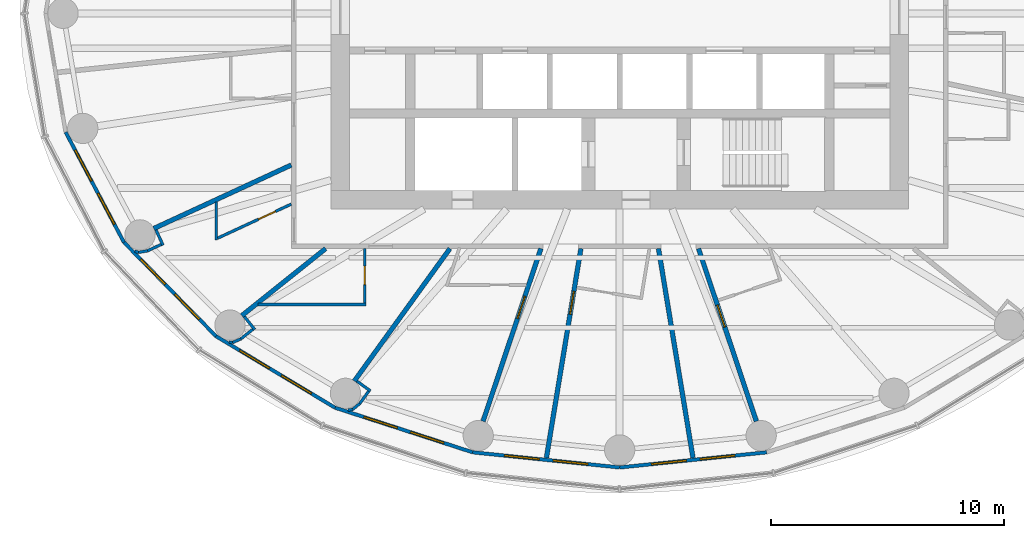
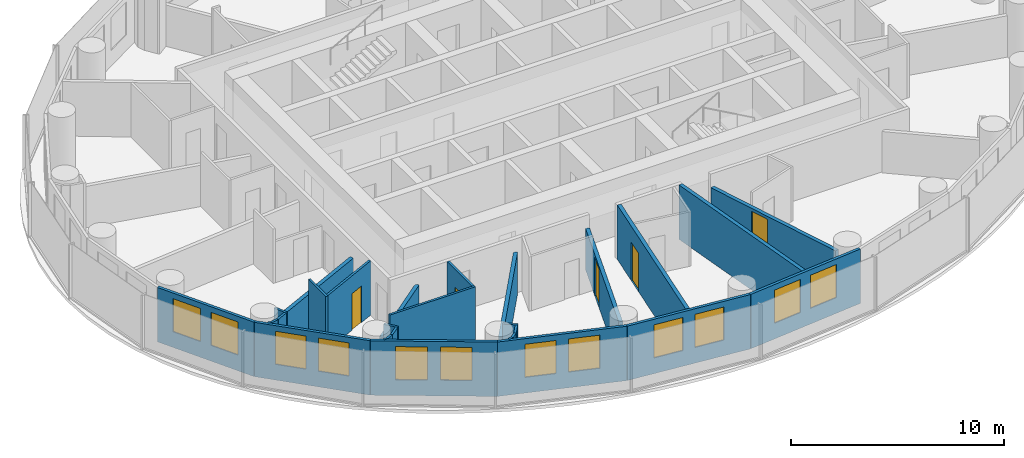
# One storey, part 6 of 14: 29 walls, 12 windows, 5 doors, 17 openings.
"""IFC4 building model written with IfcOpenShell, lengths in metres."""

import ifcopenshell
import ifcopenshell.guid

model = None  # the IFC model being written
_history = None  # IfcOwnerHistory: only IFC2X3 demands one
_inside = {}  # id of a spatial element -> (the spatial element, [elements in it])
_under = {}  # id of a project, library or spatial element -> (it, [spatial elements below it])
_declared = {}  # id of a project -> (the project, [libraries it declares])
_typed = {}  # id of a type object -> (the type object, [elements of that type])
_made_of = {}  # id of a material, layer set ... -> (it, [elements and type objects made of it])


def new_model(schema):
    """Start an empty IFC model of exactly this schema.

    Asked for "IFC4X3", IfcOpenShell would pick the latest addendum, in which some entities
    have other attributes; the version numbers below select the first issue.
    IFC2X3 requires an IfcOwnerHistory on every rooted entity: one is made here for all.
    """
    global model, _history
    if schema == "IFC4X3":
        model = ifcopenshell.file(schema_version=(4, 3, 0, 0))
    else:
        model = ifcopenshell.file(schema=schema)
    _inside.clear()
    _under.clear()
    _declared.clear()
    _typed.clear()
    _made_of.clear()
    _history = None
    if model.schema == "IFC2X3":
        org = make("IfcOrganization", Name="unknown")
        user = make(
            "IfcPersonAndOrganization",
            ThePerson=make("IfcPerson", FamilyName="unknown"),
            TheOrganization=org,
        )
        app = make(
            "IfcApplication",
            ApplicationDeveloper=org,
            Version="unknown",
            ApplicationFullName="unknown",
            ApplicationIdentifier="unknown",
        )
        _history = make(
            "IfcOwnerHistory",
            OwningUser=user,
            OwningApplication=app,
            ChangeAction="ADDED",
            CreationDate=0,
        )
    return model


def make(cls, **values):
    """One entity of the class cls with the attributes given. An attribute that is None is left unset."""
    return model.create_entity(
        cls, **{name: value for name, value in values.items() if value is not None}
    )


def rooted(cls, **values):
    """An entity with a GlobalId (a new one), such as an element, a storey or a relation."""
    return make(cls, GlobalId=ifcopenshell.guid.new(), OwnerHistory=_history, **values)


def si_unit(unit_type, name, prefix=None):
    """IfcSIUnit, for example si_unit("LENGTHUNIT", "METRE", prefix="MILLI")."""
    return make("IfcSIUnit", UnitType=unit_type, Prefix=prefix, Name=name)


def assignment(units):
    """IfcUnitAssignment: the units of a project."""
    return None if units is None else make("IfcUnitAssignment", Units=units)


def point(xyz):
    """IfcCartesianPoint."""
    return None if xyz is None else make("IfcCartesianPoint", Coordinates=xyz)


def direction(xyz):
    """IfcDirection."""
    return None if xyz is None else make("IfcDirection", DirectionRatios=xyz)


def frame(location, z_axis=None, x_axis=None):
    """IfcAxis2Placement3D, a coordinate frame: its origin and axes. An axis left out is left unset."""
    return make(
        "IfcAxis2Placement3D",
        Location=point(location),
        Axis=direction(z_axis),
        RefDirection=direction(x_axis),
    )


def frame_2d(location, x_axis=None):
    """IfcAxis2Placement2D, a coordinate frame in the plane: its origin and x axis."""
    return make(
        "IfcAxis2Placement2D", Location=point(location), RefDirection=direction(x_axis)
    )


def origin():
    """The frame at (0, 0, 0) with its axes left unset."""
    return frame((0.0, 0.0, 0.0))


def place(relative_to, where):
    """IfcLocalPlacement: puts the frame where relative to a parent placement (None: the world)."""
    return make(
        "IfcLocalPlacement", PlacementRelTo=relative_to, RelativePlacement=where
    )


def context(
    kind, dimensions, precision=None, world=None, true_north=None, identifier=None
):
    """IfcGeometricRepresentationContext, for example the 3D "Model" context."""
    return make(
        "IfcGeometricRepresentationContext",
        ContextIdentifier=identifier,
        ContextType=kind,
        CoordinateSpaceDimension=dimensions,
        Precision=precision,
        WorldCoordinateSystem=world,
        TrueNorth=true_north,
    )


def subcontext(parent, identifier, kind, view, scale=None):
    """IfcGeometricRepresentationSubContext, for example "Body" below "Model"."""
    return make(
        "IfcGeometricRepresentationSubContext",
        ContextIdentifier=identifier,
        ContextType=kind,
        ParentContext=parent,
        TargetScale=scale,
        TargetView=view,
    )


def project(units=None, contexts=None):
    """IfcProject with its units and contexts."""
    return rooted(
        "IfcProject",
        Name="project",
        RepresentationContexts=contexts,
        UnitsInContext=assignment(units),
    )


def spatial(cls, under=None, at=None, **own):
    """A site, building, storey or space (cls), placed at a placement, below another one or the project."""
    s = rooted(cls, ObjectPlacement=at, **own)
    if under is not None:
        _under.setdefault(under.id(), (under, []))[1].append(s)
    return s


def profile(cls, at=None, kind="AREA", **sizes):
    """A parametric profile (cls). Its sizes go by their IFC names, for example OverallWidth=200.0."""
    return make(cls, ProfileType=kind, Position=at, **sizes)


def rectangle(**sizes):
    """IfcRectangleProfileDef."""
    return profile("IfcRectangleProfileDef", **sizes)


def extrude(swept, where, along, depth):
    """IfcExtrudedAreaSolid: the profile swept, set in the frame where, extruded along a direction by depth."""
    return make(
        "IfcExtrudedAreaSolid",
        SweptArea=swept,
        Position=where,
        ExtrudedDirection=direction(along),
        Depth=depth,
    )


def shape(context_of_items, identifier, shape_type, items):
    """IfcShapeRepresentation: the items that make up one representation, for example the "Body"."""
    return make(
        "IfcShapeRepresentation",
        ContextOfItems=context_of_items,
        RepresentationIdentifier=identifier,
        RepresentationType=shape_type,
        Items=items,
    )


def material(Name=None, Category=None):
    """IfcMaterial."""
    return make("IfcMaterial", Name=Name, Category=Category)


def layer(
    of_material, thickness, ventilated=None, Name=None, Category=None, Priority=None
):
    """IfcMaterialLayer: one layer of a wall or slab, of a material (None: an air gap)."""
    return make(
        "IfcMaterialLayer",
        Material=of_material,
        LayerThickness=thickness,
        IsVentilated=ventilated,
        Name=Name,
        Category=Category,
        Priority=Priority,
    )


def layer_set(layers, Name=None):
    """IfcMaterialLayerSet."""
    return make("IfcMaterialLayerSet", MaterialLayers=layers, LayerSetName=Name)


def made_of(thing, what):
    """Note that an element or type object is made of a material, layer set ...; save() writes the relation."""
    if what is not None:
        _made_of.setdefault(what.id(), (what, []))[1].append(thing)
    return thing


def type_object(cls, material=None, **own):
    """A type object (cls), such as IfcWallType, which elements share."""
    return made_of(rooted(cls, **own), material)


def element(
    cls,
    number,
    at=None,
    inside=None,
    cuts=None,
    type_object=None,
    material=None,
    context=None,
    identifier="Body",
    shape_type=None,
    held_by="IfcProductDefinitionShape",
    body=None,
    shapes=None,
    **own,
):
    """One element of the class cls, such as IfcWall. Its Tag is "e" and its number.

    at: its placement. inside: the storey or other place that contains it. cuts: it is an
    opening in that element (IfcRelVoidsElement). A single representation is given by context,
    identifier, shape_type and body (its items); several are given by shapes. held_by: the class
    of the entity that holds the representations. save() writes the other relations.
    """
    e = rooted(cls, Tag="e%d" % number, ObjectPlacement=at, **own)
    if body is not None:
        shapes = [shape(context, identifier, shape_type, body)]
    if shapes is not None:
        e.Representation = make(held_by, Representations=shapes)
    if inside is not None:
        _inside.setdefault(inside.id(), (inside, []))[1].append(e)
    if cuts is not None:
        rooted(
            "IfcRelVoidsElement", RelatingBuildingElement=cuts, RelatedOpeningElement=e
        )
    if type_object is not None:
        _typed.setdefault(type_object.id(), (type_object, []))[1].append(e)
    return made_of(e, material)


def fill(opening, filler):
    """IfcRelFillsElement: the door or window that sits in an opening."""
    return rooted(
        "IfcRelFillsElement",
        RelatingOpeningElement=opening,
        RelatedBuildingElement=filler,
    )


def aggregate(whole, parts):
    """IfcRelAggregates: a whole, such as a stair, and the parts it consists of."""
    return rooted("IfcRelAggregates", RelatingObject=whole, RelatedObjects=parts)


def save(model, path):
    """Write the relations noted so far, then the file.

    IfcRelAggregates (storeys below a building ...), IfcRelContainedInSpatialStructure (elements
    in a storey), IfcRelDefinesByType, IfcRelAssociatesMaterial and IfcRelDeclares: one each for
    every whole, place, type object, material and project.
    """
    for whole, parts in _under.values():
        aggregate(whole, parts)
    for where, things in _inside.values():
        rooted(
            "IfcRelContainedInSpatialStructure",
            RelatedElements=things,
            RelatingStructure=where,
        )
    for kind, things in _typed.values():
        rooted("IfcRelDefinesByType", RelatedObjects=things, RelatingType=kind)
    for what, things in _made_of.values():
        rooted("IfcRelAssociatesMaterial", RelatedObjects=things, RelatingMaterial=what)
    for by, libraries in _declared.values():
        rooted("IfcRelDeclares", RelatingContext=by, RelatedDefinitions=libraries)
    model.write(path)


model = new_model("IFC4")

# Units and contexts
model_context = context("Model", 3, precision=1e-05, world=origin(), true_north=direction((0.0, 1.0)))
body_context = subcontext(model_context, "Body", "Model", "MODEL_VIEW")
ifc_project = project(units=[si_unit("LENGTHUNIT", "METRE"), si_unit("AREAUNIT", "SQUARE_METRE"), si_unit("VOLUMEUNIT", "CUBIC_METRE"), si_unit("PLANEANGLEUNIT", "RADIAN"), si_unit("MASSUNIT", "GRAM", prefix="KILO")], contexts=[model_context])

# Site, building, storey
site_placement = place(None, origin())
site = spatial("IfcSite", under=ifc_project, at=site_placement, CompositionType="ELEMENT")
building_placement = place(site_placement, origin())
building = spatial("IfcBuilding", under=site, at=building_placement, Name="Hankou Lantern Tower", CompositionType="ELEMENT")
storey_placement = place(building_placement, frame((0.0, 0.0, 115.5)))
storey = spatial("IfcBuildingStorey", under=building, at=storey_placement, Name="L29", CompositionType="ELEMENT", Elevation=115.5)

# Wall, openings, windows
ifc_material_1 = material(Name="Aluminium spandrel panel on steel studs", Category="steel")
ifc_layer_1 = layer(ifc_material_1, 0.14990234375)
ifc_layer_set_1 = layer_set([ifc_layer_1], Name="Aluminium spandrel panel on steel studs")
wall_type_1 = type_object("IfcWallType", Name="EW1 INNER SKIN WALL 150", PredefinedType="ELEMENTEDWALL", material=ifc_layer_set_1)
wall_1_placement = place(storey_placement, frame((-23.7919921875, -5.10009765625, 0.0), z_axis=(0.0, 0.0, 1.0), x_axis=(0.467814388454, -0.883826735257, 0.0)))
wall_1 = element("IfcWall", 1, at=wall_1_placement, inside=storey, type_object=wall_type_1, Name="Inner skin R14-R15 L29", PredefinedType="ELEMENTEDWALL", context=body_context, shape_type="SweptSolid", body=[
    extrude(rectangle(XDim=5.35400390625, YDim=0.14990234375, at=frame_2d((2.677001953125, 0.0))), origin(), (0.0, 0.0, 1.0), 3.1201171875),
])
opening_1_placement = place(wall_1_placement, frame((0.876953125, 0.0, 0.89990234375)))
opening_1 = element("IfcOpeningElement", 2, at=opening_1_placement, cuts=wall_1, Name="Opening W2", PredefinedType="OPENING", context=body_context, shape_type="SweptSolid", body=[
    extrude(rectangle(XDim=1.5, YDim=1.89990234375, at=frame_2d((0.75, 0.949951171875))), frame((0.0, 0.0849609375, 0.0), z_axis=(0.0, -1.0, 0.0), x_axis=(1.0, 0.0, 0.0)), (0.0, 0.0, 1.0), 0.169921875),
])
opening_2_placement = place(wall_1_placement, frame((2.97705078125, 0.0, 0.89990234375)))
opening_2 = element("IfcOpeningElement", 3, at=opening_2_placement, cuts=wall_1, Name="Opening W2", PredefinedType="OPENING", context=body_context, shape_type="SweptSolid", body=[
    extrude(rectangle(XDim=1.5, YDim=1.89990234375, at=frame_2d((0.75, 0.949951171875))), frame((0.0, 0.0849609375, 0.0), z_axis=(0.0, -1.0, 0.0), x_axis=(1.0, 0.0, 0.0)), (0.0, 0.0, 1.0), 0.169921875),
])
ifc_material_2 = material(Name="Aluminium framed double glazed window", Category="aluminium")
window_type = type_object("IfcWindowType", Name="W2 GUEST ROOM WINDOW 1500X1900", PartitioningType="DOUBLE_PANEL_VERTICAL", PredefinedType="WINDOW", material=ifc_material_2)
window_1_placement = place(opening_1_placement, origin())
window_1 = element("IfcWindow", 4, at=window_1_placement, inside=storey, type_object=window_type, Name="Window R14.1 L29", OverallHeight=1.89990234375, OverallWidth=1.5, PartitioningType="SINGLE_PANEL", PredefinedType="WINDOW", context=body_context, shape_type="SweptSolid", body=[
    extrude(rectangle(XDim=1.5, YDim=1.89990234375, at=frame_2d((0.75, 0.949951171875))), frame((0.0, 0.030029296875, 0.0), z_axis=(0.0, -1.0, 0.0), x_axis=(1.0, 0.0, 0.0)), (0.0, 0.0, 1.0), 0.06005859375),
])
fill(opening_1, window_1)
window_2_placement = place(opening_2_placement, origin())
window_2 = element("IfcWindow", 5, at=window_2_placement, inside=storey, type_object=window_type, Name="Window R14.2 L29", OverallHeight=1.89990234375, OverallWidth=1.5, PartitioningType="SINGLE_PANEL", PredefinedType="WINDOW", context=body_context, shape_type="SweptSolid", body=[
    extrude(rectangle(XDim=1.5, YDim=1.89990234375, at=frame_2d((0.75, 0.949951171875))), frame((0.0, 0.030029296875, 0.0), z_axis=(0.0, -1.0, 0.0), x_axis=(1.0, 0.0, 0.0)), (0.0, 0.0, 1.0), 0.06005859375),
])
fill(opening_2, window_2)

wall_2_placement = place(storey_placement, frame((-21.287353515625, -9.83203125, 0.0), z_axis=(0.0, 0.0, 1.0), x_axis=(0.700136650834, -0.714008872605, 0.0)))
wall_2 = element("IfcWall", 6, at=wall_2_placement, inside=storey, type_object=wall_type_1, Name="Inner skin R15-R16 L29", PredefinedType="ELEMENTEDWALL", context=body_context, shape_type="SweptSolid", body=[
    extrude(rectangle(XDim=5.6494140625, YDim=0.14990234375, at=frame_2d((2.82470703125, 0.0))), origin(), (0.0, 0.0, 1.0), 3.1201171875),
])
opening_3_placement = place(wall_2_placement, frame((1.024658203125, 0.0, 0.89990234375)))
opening_3 = element("IfcOpeningElement", 7, at=opening_3_placement, cuts=wall_2, Name="Opening W2", PredefinedType="OPENING", context=body_context, shape_type="SweptSolid", body=[
    extrude(rectangle(XDim=1.5, YDim=1.89990234375, at=frame_2d((0.75, 0.949951171875))), frame((0.0, 0.0849609375, 0.0), z_axis=(0.0, -1.0, 0.0), x_axis=(1.0, 0.0, 0.0)), (0.0, 0.0, 1.0), 0.169921875),
])
opening_4_placement = place(wall_2_placement, frame((3.12451171875, 0.0, 0.89990234375)))
opening_4 = element("IfcOpeningElement", 8, at=opening_4_placement, cuts=wall_2, Name="Opening W2", PredefinedType="OPENING", context=body_context, shape_type="SweptSolid", body=[
    extrude(rectangle(XDim=1.5, YDim=1.89990234375, at=frame_2d((0.75, 0.949951171875))), frame((0.0, 0.0849609375, 0.0), z_axis=(0.0, -1.0, 0.0), x_axis=(1.0, 0.0, 0.0)), (0.0, 0.0, 1.0), 0.169921875),
])
window_3_placement = place(opening_3_placement, origin())
window_3 = element("IfcWindow", 9, at=window_3_placement, inside=storey, type_object=window_type, Name="Window R15.1 L29", OverallHeight=1.89990234375, OverallWidth=1.5, PartitioningType="SINGLE_PANEL", PredefinedType="WINDOW", context=body_context, shape_type="SweptSolid", body=[
    extrude(rectangle(XDim=1.5, YDim=1.89990234375, at=frame_2d((0.75, 0.949951171875))), frame((0.0, 0.030029296875, 0.0), z_axis=(0.0, -1.0, 0.0), x_axis=(1.0, 0.0, 0.0)), (0.0, 0.0, 1.0), 0.06005859375),
])
fill(opening_3, window_3)
window_4_placement = place(opening_4_placement, origin())
window_4 = element("IfcWindow", 10, at=window_4_placement, inside=storey, type_object=window_type, Name="Window R15.2 L29", OverallHeight=1.89990234375, OverallWidth=1.5, PartitioningType="SINGLE_PANEL", PredefinedType="WINDOW", context=body_context, shape_type="SweptSolid", body=[
    extrude(rectangle(XDim=1.5, YDim=1.89990234375, at=frame_2d((0.75, 0.949951171875))), frame((0.0, 0.030029296875, 0.0), z_axis=(0.0, -1.0, 0.0), x_axis=(1.0, 0.0, 0.0)), (0.0, 0.0, 1.0), 0.06005859375),
])
fill(opening_4, window_4)

wall_3_placement = place(storey_placement, frame((-17.33203125, -13.86572265625, 0.0), z_axis=(0.0, 0.0, 1.0), x_axis=(0.857308573723, -0.514802884044, 0.0)))
wall_3 = element("IfcWall", 11, at=wall_3_placement, inside=storey, type_object=wall_type_1, Name="Inner skin R16-R17 L29", PredefinedType="ELEMENTEDWALL", context=body_context, shape_type="SweptSolid", body=[
    extrude(rectangle(XDim=5.961181640625, YDim=0.14990234375, at=frame_2d((2.98046875, 0.0))), origin(), (0.0, 0.0, 1.0), 3.1201171875),
])
opening_5_placement = place(wall_3_placement, frame((1.1806640625, 0.0, 0.89990234375)))
opening_5 = element("IfcOpeningElement", 12, at=opening_5_placement, cuts=wall_3, Name="Opening W2", PredefinedType="OPENING", context=body_context, shape_type="SweptSolid", body=[
    extrude(rectangle(XDim=1.5, YDim=1.89990234375, at=frame_2d((0.75, 0.949951171875))), frame((0.0, 0.0849609375, 0.0), z_axis=(0.0, -1.0, 0.0), x_axis=(1.0, 0.0, 0.0)), (0.0, 0.0, 1.0), 0.169921875),
])
opening_6_placement = place(wall_3_placement, frame((3.280517578125, 0.0, 0.89990234375)))
opening_6 = element("IfcOpeningElement", 13, at=opening_6_placement, cuts=wall_3, Name="Opening W2", PredefinedType="OPENING", context=body_context, shape_type="SweptSolid", body=[
    extrude(rectangle(XDim=1.5, YDim=1.89990234375, at=frame_2d((0.75, 0.949951171875))), frame((0.0, 0.0849609375, 0.0), z_axis=(0.0, -1.0, 0.0), x_axis=(1.0, 0.0, 0.0)), (0.0, 0.0, 1.0), 0.169921875),
])
window_5_placement = place(opening_5_placement, origin())
window_5 = element("IfcWindow", 14, at=window_5_placement, inside=storey, type_object=window_type, Name="Window R16.1 L29", OverallHeight=1.89990234375, OverallWidth=1.5, PartitioningType="SINGLE_PANEL", PredefinedType="WINDOW", context=body_context, shape_type="SweptSolid", body=[
    extrude(rectangle(XDim=1.5, YDim=1.89990234375, at=frame_2d((0.75, 0.949951171875))), frame((0.0, 0.030029296875, 0.0), z_axis=(0.0, -1.0, 0.0), x_axis=(1.0, 0.0, 0.0)), (0.0, 0.0, 1.0), 0.06005859375),
])
fill(opening_5, window_5)
window_6_placement = place(opening_6_placement, origin())
window_6 = element("IfcWindow", 15, at=window_6_placement, inside=storey, type_object=window_type, Name="Window R16.2 L29", OverallHeight=1.89990234375, OverallWidth=1.5, PartitioningType="SINGLE_PANEL", PredefinedType="WINDOW", context=body_context, shape_type="SweptSolid", body=[
    extrude(rectangle(XDim=1.5, YDim=1.89990234375, at=frame_2d((0.75, 0.949951171875))), frame((0.0, 0.030029296875, 0.0), z_axis=(0.0, -1.0, 0.0), x_axis=(1.0, 0.0, 0.0)), (0.0, 0.0, 1.0), 0.06005859375),
])
fill(opening_6, window_6)

wall_4_placement = place(storey_placement, frame((-12.221435546875, -16.9345703125, 0.0), z_axis=(0.0, 0.0, 1.0), x_axis=(0.951272691506, -0.308350881944, 0.0)))
wall_4 = element("IfcWall", 16, at=wall_4_placement, inside=storey, type_object=wall_type_1, Name="Inner skin R17-R18 L29", PredefinedType="ELEMENTEDWALL", context=body_context, shape_type="SweptSolid", body=[
    extrude(rectangle(XDim=6.210693359375, YDim=0.14990234375, at=frame_2d((3.10546875, 0.0))), origin(), (0.0, 0.0, 1.0), 3.1201171875),
])
opening_7_placement = place(wall_4_placement, frame((1.305419921875, 0.0, 0.89990234375)))
opening_7 = element("IfcOpeningElement", 17, at=opening_7_placement, cuts=wall_4, Name="Opening W2", PredefinedType="OPENING", context=body_context, shape_type="SweptSolid", body=[
    extrude(rectangle(XDim=1.5, YDim=1.89990234375, at=frame_2d((0.75, 0.949951171875))), frame((0.0, 0.0849609375, 0.0), z_axis=(0.0, -1.0, 0.0), x_axis=(1.0, 0.0, 0.0)), (0.0, 0.0, 1.0), 0.169921875),
])
opening_8_placement = place(wall_4_placement, frame((3.4052734375, 0.0, 0.89990234375)))
opening_8 = element("IfcOpeningElement", 18, at=opening_8_placement, cuts=wall_4, Name="Opening W2", PredefinedType="OPENING", context=body_context, shape_type="SweptSolid", body=[
    extrude(rectangle(XDim=1.5, YDim=1.89990234375, at=frame_2d((0.75, 0.949951171875))), frame((0.0, 0.0849609375, 0.0), z_axis=(0.0, -1.0, 0.0), x_axis=(1.0, 0.0, 0.0)), (0.0, 0.0, 1.0), 0.169921875),
])
window_7_placement = place(opening_7_placement, origin())
window_7 = element("IfcWindow", 19, at=window_7_placement, inside=storey, type_object=window_type, Name="Window R17.1 L29", OverallHeight=1.89990234375, OverallWidth=1.5, PartitioningType="SINGLE_PANEL", PredefinedType="WINDOW", context=body_context, shape_type="SweptSolid", body=[
    extrude(rectangle(XDim=1.5, YDim=1.89990234375, at=frame_2d((0.75, 0.949951171875))), frame((0.0, 0.030029296875, 0.0), z_axis=(0.0, -1.0, 0.0), x_axis=(1.0, 0.0, 0.0)), (0.0, 0.0, 1.0), 0.06005859375),
])
fill(opening_7, window_7)
window_8_placement = place(opening_8_placement, origin())
window_8 = element("IfcWindow", 20, at=window_8_placement, inside=storey, type_object=window_type, Name="Window R17.2 L29", OverallHeight=1.89990234375, OverallWidth=1.5, PartitioningType="SINGLE_PANEL", PredefinedType="WINDOW", context=body_context, shape_type="SweptSolid", body=[
    extrude(rectangle(XDim=1.5, YDim=1.89990234375, at=frame_2d((0.75, 0.949951171875))), frame((0.0, 0.030029296875, 0.0), z_axis=(0.0, -1.0, 0.0), x_axis=(1.0, 0.0, 0.0)), (0.0, 0.0, 1.0), 0.06005859375),
])
fill(opening_8, window_8)

wall_5_placement = place(storey_placement, frame((-6.3134765625, -18.849609375, 0.0), z_axis=(0.0, 0.0, 1.0), x_axis=(0.994735690163, -0.102473931887, 0.0)))
wall_5 = element("IfcWall", 21, at=wall_5_placement, inside=storey, type_object=wall_type_1, Name="Inner skin R18-R19 L29", PredefinedType="ELEMENTEDWALL", context=body_context, shape_type="SweptSolid", body=[
    extrude(rectangle(XDim=6.346923828125, YDim=0.14990234375, at=frame_2d((3.17333984375, 0.0))), origin(), (0.0, 0.0, 1.0), 3.1201171875),
])
opening_9_placement = place(wall_5_placement, frame((1.373291015625, 0.0, 0.89990234375)))
opening_9 = element("IfcOpeningElement", 22, at=opening_9_placement, cuts=wall_5, Name="Opening W2", PredefinedType="OPENING", context=body_context, shape_type="SweptSolid", body=[
    extrude(rectangle(XDim=1.5, YDim=1.89990234375, at=frame_2d((0.75, 0.949951171875))), frame((0.0, 0.0849609375, 0.0), z_axis=(0.0, -1.0, 0.0), x_axis=(1.0, 0.0, 0.0)), (0.0, 0.0, 1.0), 0.169921875),
])
opening_10_placement = place(wall_5_placement, frame((3.473388671875, 0.0, 0.89990234375)))
opening_10 = element("IfcOpeningElement", 23, at=opening_10_placement, cuts=wall_5, Name="Opening W2", PredefinedType="OPENING", context=body_context, shape_type="SweptSolid", body=[
    extrude(rectangle(XDim=1.5, YDim=1.89990234375, at=frame_2d((0.75, 0.949951171875))), frame((0.0, 0.0849609375, 0.0), z_axis=(0.0, -1.0, 0.0), x_axis=(1.0, 0.0, 0.0)), (0.0, 0.0, 1.0), 0.169921875),
])
window_9_placement = place(opening_9_placement, origin())
window_9 = element("IfcWindow", 24, at=window_9_placement, inside=storey, type_object=window_type, Name="Window R18.1 L29", OverallHeight=1.89990234375, OverallWidth=1.5, PartitioningType="SINGLE_PANEL", PredefinedType="WINDOW", context=body_context, shape_type="SweptSolid", body=[
    extrude(rectangle(XDim=1.5, YDim=1.89990234375, at=frame_2d((0.75, 0.949951171875))), frame((0.0, 0.030029296875, 0.0), z_axis=(0.0, -1.0, 0.0), x_axis=(1.0, 0.0, 0.0)), (0.0, 0.0, 1.0), 0.06005859375),
])
fill(opening_9, window_9)
window_10_placement = place(opening_10_placement, origin())
window_10 = element("IfcWindow", 25, at=window_10_placement, inside=storey, type_object=window_type, Name="Window R18.2 L29", OverallHeight=1.89990234375, OverallWidth=1.5, PartitioningType="SINGLE_PANEL", PredefinedType="WINDOW", context=body_context, shape_type="SweptSolid", body=[
    extrude(rectangle(XDim=1.5, YDim=1.89990234375, at=frame_2d((0.75, 0.949951171875))), frame((0.0, 0.030029296875, 0.0), z_axis=(0.0, -1.0, 0.0), x_axis=(1.0, 0.0, 0.0)), (0.0, 0.0, 1.0), 0.06005859375),
])
fill(opening_10, window_10)

wall_6_placement = place(storey_placement, frame((0.0, -19.5, 0.0), z_axis=(0.0, 0.0, 1.0), x_axis=(0.994735690163, 0.102473931887, 0.0)))
wall_6 = element("IfcWall", 26, at=wall_6_placement, inside=storey, type_object=wall_type_1, Name="Inner skin R19-R20 L29", PredefinedType="ELEMENTEDWALL", context=body_context, shape_type="SweptSolid", body=[
    extrude(rectangle(XDim=6.346923828125, YDim=0.14990234375, at=frame_2d((3.17333984375, 0.0))), origin(), (0.0, 0.0, 1.0), 3.1201171875),
])
opening_11_placement = place(wall_6_placement, frame((1.373291015625, 0.0, 0.89990234375)))
opening_11 = element("IfcOpeningElement", 27, at=opening_11_placement, cuts=wall_6, Name="Opening W2", PredefinedType="OPENING", context=body_context, shape_type="SweptSolid", body=[
    extrude(rectangle(XDim=1.5, YDim=1.89990234375, at=frame_2d((0.75, 0.949951171875))), frame((0.0, 0.0849609375, 0.0), z_axis=(0.0, -1.0, 0.0), x_axis=(1.0, 0.0, 0.0)), (0.0, 0.0, 1.0), 0.169921875),
])
opening_12_placement = place(wall_6_placement, frame((3.473388671875, 0.0, 0.89990234375)))
opening_12 = element("IfcOpeningElement", 28, at=opening_12_placement, cuts=wall_6, Name="Opening W2", PredefinedType="OPENING", context=body_context, shape_type="SweptSolid", body=[
    extrude(rectangle(XDim=1.5, YDim=1.89990234375, at=frame_2d((0.75, 0.949951171875))), frame((0.0, 0.0849609375, 0.0), z_axis=(0.0, -1.0, 0.0), x_axis=(1.0, 0.0, 0.0)), (0.0, 0.0, 1.0), 0.169921875),
])
window_11_placement = place(opening_11_placement, origin())
window_11 = element("IfcWindow", 29, at=window_11_placement, inside=storey, type_object=window_type, Name="Window R19.1 L29", OverallHeight=1.89990234375, OverallWidth=1.5, PartitioningType="SINGLE_PANEL", PredefinedType="WINDOW", context=body_context, shape_type="SweptSolid", body=[
    extrude(rectangle(XDim=1.5, YDim=1.89990234375, at=frame_2d((0.75, 0.949951171875))), frame((0.0, 0.030029296875, 0.0), z_axis=(0.0, -1.0, 0.0), x_axis=(1.0, 0.0, 0.0)), (0.0, 0.0, 1.0), 0.06005859375),
])
fill(opening_11, window_11)
window_12_placement = place(opening_12_placement, origin())
window_12 = element("IfcWindow", 30, at=window_12_placement, inside=storey, type_object=window_type, Name="Window R19.2 L29", OverallHeight=1.89990234375, OverallWidth=1.5, PartitioningType="SINGLE_PANEL", PredefinedType="WINDOW", context=body_context, shape_type="SweptSolid", body=[
    extrude(rectangle(XDim=1.5, YDim=1.89990234375, at=frame_2d((0.75, 0.949951171875))), frame((0.0, 0.030029296875, 0.0), z_axis=(0.0, -1.0, 0.0), x_axis=(1.0, 0.0, 0.0)), (0.0, 0.0, 1.0), 0.06005859375),
])
fill(opening_12, window_12)

# Walls
ifc_material_3 = material(Name="Masonry lightweight concrete block", Category="masonry")
ifc_layer_2 = layer(ifc_material_3, 0.199951171875)
ifc_layer_set_2 = layer_set([ifc_layer_2], Name="Masonry lightweight concrete block")
wall_type_2 = type_object("IfcWallType", Name="IW1 GUEST ROOM PARTY WALL 200", PredefinedType="PARTITIONING", material=ifc_layer_set_2)
wall_7_placement = place(storey_placement, frame((-14.10009765625, -6.512451171875, 0.0), z_axis=(0.0, 0.0, 1.0), x_axis=(-0.907833019998, -0.419331858797, 0.0)))
element("IfcWall", 31, at=wall_7_placement, inside=storey, type_object=wall_type_2, Name="Party wall R15", PredefinedType="PARTITIONING", context=body_context, shape_type="SweptSolid", body=[
    extrude(rectangle(XDim=6.505126953125, YDim=0.199951171875, at=frame_2d((3.25244140625, 0.0))), origin(), (0.0, 0.0, 1.0), 2.27001953125),
])
wall_8_placement = place(storey_placement, frame((-12.625, -10.10009765625, 0.0), z_axis=(0.0, 0.0, 1.0), x_axis=(-0.780863644897, -0.624701503182, 0.0)))
element("IfcWall", 32, at=wall_8_placement, inside=storey, type_object=wall_type_2, Name="Party wall R16", PredefinedType="PARTITIONING", context=body_context, shape_type="SweptSolid", body=[
    extrude(rectangle(XDim=4.612060546875, YDim=0.199951171875, at=frame_2d((2.30615234375, 0.0))), origin(), (0.0, 0.0, 1.0), 2.3701171875),
])
wall_9_placement = place(storey_placement, frame((-7.2890625, -10.10009765625, 0.0), z_axis=(0.0, 0.0, 1.0), x_axis=(-0.585217367024, -0.81087645997, 0.0)))
element("IfcWall", 33, at=wall_9_placement, inside=storey, type_object=wall_type_2, Name="Party wall R17", PredefinedType="PARTITIONING", context=body_context, shape_type="SweptSolid", body=[
    extrude(rectangle(XDim=7.01611328125, YDim=0.199951171875, at=frame_2d((3.508056640625, 0.0))), origin(), (0.0, 0.0, 1.0), 2.3701171875),
])

# Wall, opening, door
ifc_material_4 = material(Name="Masonry lightweight concrete block", Category="masonry")
ifc_layer_3 = layer(ifc_material_4, 0.199951171875)
ifc_layer_set_3 = layer_set([ifc_layer_3], Name="Masonry lightweight concrete block")
wall_type_3 = type_object("IfcWallType", Name="IW2 CORRIDOR WALL 200", PredefinedType="PARTITIONING", material=ifc_layer_set_3)
wall_10_placement = place(storey_placement, frame((-3.3828125, -10.10009765625, 0.0), z_axis=(0.0, 0.0, 1.0), x_axis=(-0.317603705574, -0.948223542318, 0.0)))
wall_10 = element("IfcWall", 34, at=wall_10_placement, inside=storey, type_object=wall_type_3, Name="Corridor spur wall R18", PredefinedType="PARTITIONING", context=body_context, shape_type="SweptSolid", body=[
    extrude(rectangle(XDim=7.822998046875, YDim=0.199951171875, at=frame_2d((3.91162109375, 0.0))), origin(), (0.0, 0.0, 1.0), 2.3701171875),
])
opening_13_placement = place(wall_10_placement, frame((2.168212890625, 0.0, 0.0)))
opening_13 = element("IfcOpeningElement", 35, at=opening_13_placement, cuts=wall_10, Name="Opening D1", PredefinedType="OPENING", context=body_context, shape_type="SweptSolid", body=[
    extrude(rectangle(XDim=1.0, YDim=2.199951171875, at=frame_2d((0.5, 1.10009765625))), frame((0.0, 0.10986328125, 0.0), z_axis=(0.0, -1.0, 0.0), x_axis=(1.0, 0.0, 0.0)), (0.0, 0.0, 1.0), 0.219970703125),
])
ifc_material_5 = material(Name="Steel door leaf", Category="steel")
door_type_1 = type_object("IfcDoorType", Name="D1 GUEST ROOM DOOR 1000X2200", OperationType="SINGLE_SWING_LEFT", PredefinedType="DOOR", material=ifc_material_5)
door_1_placement = place(opening_13_placement, origin())
door_1 = element("IfcDoor", 36, at=door_1_placement, inside=storey, type_object=door_type_1, Name="Guest room door 2911", OperationType="SINGLE_SWING_LEFT", OverallHeight=2.199951171875, OverallWidth=1.0, PredefinedType="DOOR", context=body_context, shape_type="SweptSolid", body=[
    extrude(rectangle(XDim=1.0, YDim=2.199951171875, at=frame_2d((0.5, 1.10009765625))), frame((0.0, 0.02490234375, 0.0), z_axis=(0.0, -1.0, 0.0), x_axis=(1.0, 0.0, 0.0)), (0.0, 0.0, 1.0), 0.050048828125),
])
fill(opening_13, door_1)

wall_11_placement = place(storey_placement, frame((-1.665283203125, -10.10009765625, 0.0), z_axis=(0.0, 0.0, 1.0), x_axis=(-0.162660519103, -0.986682094459, 0.0)))
wall_11 = element("IfcWall", 37, at=wall_11_placement, inside=storey, type_object=wall_type_3, Name="Corridor spur wall R18-R19", PredefinedType="PARTITIONING", context=body_context, shape_type="SweptSolid", body=[
    extrude(rectangle(XDim=9.110595703125, YDim=0.199951171875, at=frame_2d((4.55517578125, 0.0))), origin(), (0.0, 0.0, 1.0), 3.1201171875),
])
opening_14_placement = place(wall_11_placement, frame((1.860107421875, 0.0, 0.0)))
opening_14 = element("IfcOpeningElement", 38, at=opening_14_placement, cuts=wall_11, Name="Opening D1", PredefinedType="OPENING", context=body_context, shape_type="SweptSolid", body=[
    extrude(rectangle(XDim=1.0, YDim=2.199951171875, at=frame_2d((0.5, 1.10009765625))), frame((0.0, 0.10986328125, 0.0), z_axis=(0.0, -1.0, 0.0), x_axis=(1.0, 0.0, 0.0)), (0.0, 0.0, 1.0), 0.219970703125),
])
door_2_placement = place(opening_14_placement, origin())
door_2 = element("IfcDoor", 39, at=door_2_placement, inside=storey, type_object=door_type_1, Name="Guest room door 2913", OperationType="SINGLE_SWING_LEFT", OverallHeight=2.199951171875, OverallWidth=1.0, PredefinedType="DOOR", context=body_context, shape_type="SweptSolid", body=[
    extrude(rectangle(XDim=1.0, YDim=2.199951171875, at=frame_2d((0.5, 1.10009765625))), frame((0.0, 0.02490234375, 0.0), z_axis=(0.0, -1.0, 0.0), x_axis=(1.0, 0.0, 0.0)), (0.0, 0.0, 1.0), 0.050048828125),
])
fill(opening_14, door_2)

# Wall
wall_12_placement = place(storey_placement, frame((1.665283203125, -10.10009765625, 0.0), z_axis=(0.0, 0.0, 1.0), x_axis=(0.162660519103, -0.986682094459, 0.0)))
element("IfcWall", 40, at=wall_12_placement, inside=storey, type_object=wall_type_3, Name="Corridor spur wall R19-R20", PredefinedType="PARTITIONING", context=body_context, shape_type="SweptSolid", body=[
    extrude(rectangle(XDim=9.110595703125, YDim=0.199951171875, at=frame_2d((4.55517578125, 0.0))), origin(), (0.0, 0.0, 1.0), 3.1201171875),
])

# Wall, opening, door
wall_13_placement = place(storey_placement, frame((3.3828125, -10.10009765625, 0.0), z_axis=(0.0, 0.0, 1.0), x_axis=(0.317603705574, -0.948223542318, 0.0)))
wall_13 = element("IfcWall", 41, at=wall_13_placement, inside=storey, type_object=wall_type_3, Name="Corridor spur wall R20", PredefinedType="PARTITIONING", context=body_context, shape_type="SweptSolid", body=[
    extrude(rectangle(XDim=7.822998046875, YDim=0.199951171875, at=frame_2d((3.91162109375, 0.0))), origin(), (0.0, 0.0, 1.0), 2.3701171875),
])
opening_15_placement = place(wall_13_placement, frame((2.56005859375, 0.0, 0.0)))
opening_15 = element("IfcOpeningElement", 42, at=opening_15_placement, cuts=wall_13, Name="Opening D2", PredefinedType="OPENING", context=body_context, shape_type="SweptSolid", body=[
    extrude(rectangle(XDim=1.0, YDim=2.199951171875, at=frame_2d((0.5, 1.10009765625))), frame((0.0, 0.10986328125, 0.0), z_axis=(0.0, -1.0, 0.0), x_axis=(1.0, 0.0, 0.0)), (0.0, 0.0, 1.0), 0.219970703125),
])
ifc_material_6 = material(Name="Steel door leaf", Category="steel")
door_type_2 = type_object("IfcDoorType", Name="D2 SUITE DOOR 1000X2200", OperationType="SINGLE_SWING_LEFT", PredefinedType="DOOR", material=ifc_material_6)
door_3_placement = place(opening_15_placement, origin())
door_3 = element("IfcDoor", 43, at=door_3_placement, inside=storey, type_object=door_type_2, Name="Suite door 2915", OperationType="SINGLE_SWING_LEFT", OverallHeight=2.199951171875, OverallWidth=1.0, PredefinedType="DOOR", context=body_context, shape_type="SweptSolid", body=[
    extrude(rectangle(XDim=1.0, YDim=2.199951171875, at=frame_2d((0.5, 1.10009765625))), frame((0.0, 0.02490234375, 0.0), z_axis=(0.0, -1.0, 0.0), x_axis=(1.0, 0.0, 0.0)), (0.0, 0.0, 1.0), 0.050048828125),
])
fill(opening_15, door_3)

# Wall
ifc_material_7 = material(Name="Masonry lightweight concrete block", Category="masonry")
ifc_layer_4 = layer(ifc_material_7, 0.1201171875)
ifc_layer_set_4 = layer_set([ifc_layer_4], Name="Masonry lightweight concrete block")
wall_type_4 = type_object("IfcWallType", Name="IW3 BATHROOM WALL 120", PredefinedType="PARTITIONING", material=ifc_layer_set_4)
wall_14_placement = place(storey_placement, frame((-17.32275390625, -8.10107421875, 0.0), z_axis=(0.0, 0.0, 1.0), x_axis=(0.0, -1.0, 0.0)))
element("IfcWall", 44, at=wall_14_placement, inside=storey, type_object=wall_type_4, Name="Box wall 2909 1", PredefinedType="PARTITIONING", context=body_context, shape_type="SweptSolid", body=[
    extrude(rectangle(XDim=1.639892578125, YDim=0.1201171875, at=frame_2d((0.81982421875, 0.0))), origin(), (0.0, 0.0, 1.0), 3.1201171875),
])

# Wall, opening, door
wall_15_placement = place(storey_placement, frame((-14.10009765625, -8.192626953125, 0.0), z_axis=(0.0, 0.0, 1.0), x_axis=(-0.907836493557, -0.419324338628, 0.0)))
wall_15 = element("IfcWall", 45, at=wall_15_placement, inside=storey, type_object=wall_type_4, Name="Box wall 2909 1", PredefinedType="PARTITIONING", context=body_context, shape_type="SweptSolid", body=[
    extrude(rectangle(XDim=3.48974609375, YDim=0.1201171875, at=frame_2d((1.744873046875, 0.0))), origin(), (0.0, 0.0, 1.0), 3.1201171875),
])
opening_16_placement = place(wall_15_placement, frame((0.75, 0.0, 0.0)))
opening_16 = element("IfcOpeningElement", 46, at=opening_16_placement, cuts=wall_15, Name="Opening D3", PredefinedType="OPENING", context=body_context, shape_type="SweptSolid", body=[
    extrude(rectangle(XDim=0.800048828125, YDim=2.10009765625, at=frame_2d((0.39990234375, 1.050048828125))), frame((0.0, 0.070068359375, 0.0), z_axis=(0.0, -1.0, 0.0), x_axis=(1.0, 0.0, 0.0)), (0.0, 0.0, 1.0), 0.14013671875),
])
ifc_material_8 = material(Name="Timber door leaf", Category="wood")
door_type_3 = type_object("IfcDoorType", Name="D3 BATHROOM DOOR 800X2100", OperationType="SINGLE_SWING_LEFT", PredefinedType="DOOR", material=ifc_material_8)
door_4_placement = place(opening_16_placement, origin())
door_4 = element("IfcDoor", 47, at=door_4_placement, inside=storey, type_object=door_type_3, Name="En-suite bathroom 2909 door", OperationType="SINGLE_SWING_LEFT", OverallHeight=2.10009765625, OverallWidth=0.800048828125, PredefinedType="DOOR", context=body_context, shape_type="SweptSolid", body=[
    extrude(rectangle(XDim=0.800048828125, YDim=2.10009765625, at=frame_2d((0.39990234375, 1.050048828125))), frame((0.0, 0.02490234375, 0.0), z_axis=(0.0, -1.0, 0.0), x_axis=(1.0, 0.0, 0.0)), (0.0, 0.0, 1.0), 0.050048828125),
])
fill(opening_16, door_4)

# Wall
wall_16_placement = place(storey_placement, frame((-15.52490234375, -12.5, 0.0), z_axis=(0.0, 0.0, 1.0), x_axis=(1.0, 0.0, 0.0)))
element("IfcWall", 48, at=wall_16_placement, inside=storey, type_object=wall_type_4, Name="Box wall 2910 1", PredefinedType="PARTITIONING", context=body_context, shape_type="SweptSolid", body=[
    extrude(rectangle(XDim=4.639892578125, YDim=0.1201171875, at=frame_2d((2.31982421875, 0.0))), origin(), (0.0, 0.0, 1.0), 3.1201171875),
])

# Wall, opening, door
wall_17_placement = place(storey_placement, frame((-10.945068359375, -10.10009765625, 0.0), z_axis=(0.0, 0.0, 1.0), x_axis=(0.0, -1.0, 0.0)))
wall_17 = element("IfcWall", 49, at=wall_17_placement, inside=storey, type_object=wall_type_4, Name="Box wall 2910 1", PredefinedType="PARTITIONING", context=body_context, shape_type="SweptSolid", body=[
    extrude(rectangle(XDim=2.33984375, YDim=0.1201171875, at=frame_2d((1.169921875, 0.0))), origin(), (0.0, 0.0, 1.0), 3.1201171875),
])
opening_17_placement = place(wall_17_placement, frame((0.75, 0.0, 0.0)))
opening_17 = element("IfcOpeningElement", 50, at=opening_17_placement, cuts=wall_17, Name="Opening D3", PredefinedType="OPENING", context=body_context, shape_type="SweptSolid", body=[
    extrude(rectangle(XDim=0.800048828125, YDim=2.10009765625, at=frame_2d((0.39990234375, 1.050048828125))), frame((0.0, 0.070068359375, 0.0), z_axis=(0.0, -1.0, 0.0), x_axis=(1.0, 0.0, 0.0)), (0.0, 0.0, 1.0), 0.14013671875),
])
door_5_placement = place(opening_17_placement, origin())
door_5 = element("IfcDoor", 51, at=door_5_placement, inside=storey, type_object=door_type_3, Name="En-suite bathroom 2910 door", OperationType="SINGLE_SWING_LEFT", OverallHeight=2.10009765625, OverallWidth=0.800048828125, PredefinedType="DOOR", context=body_context, shape_type="SweptSolid", body=[
    extrude(rectangle(XDim=0.800048828125, YDim=2.10009765625, at=frame_2d((0.39990234375, 1.050048828125))), frame((0.0, 0.02490234375, 0.0), z_axis=(0.0, -1.0, 0.0), x_axis=(1.0, 0.0, 0.0)), (0.0, 0.0, 1.0), 0.050048828125),
])
fill(opening_17, door_5)

# Walls
ifc_material_9 = material(Name="Masonry lightweight concrete block", Category="masonry")
ifc_layer_5 = layer(ifc_material_9, 0.1201171875)
ifc_layer_set_5 = layer_set([ifc_layer_5], Name="Masonry lightweight concrete block")
wall_type_5 = type_object("IfcWallType", Name="IW4 PARTITION 120", PredefinedType="PARTITIONING", material=ifc_layer_set_5)
wall_18_placement = place(storey_placement, frame((-19.9091796875, -9.305908203125, 0.0), z_axis=(0.0, 0.0, 1.0), x_axis=(0.419296148934, -0.90784951368, 0.0)))
element("IfcWall", 52, at=wall_18_placement, inside=storey, type_object=wall_type_5, Name="Column casing R15 return", PredefinedType="PARTITIONING", context=body_context, shape_type="SweptSolid", body=[
    extrude(rectangle(XDim=0.715576171875, YDim=0.1201171875, at=frame_2d((0.35791015625, 0.0))), origin(), (0.0, 0.0, 1.0), 3.1201171875),
])
wall_19_placement = place(storey_placement, frame((-19.688720703125, -9.92626953125, 0.0), z_axis=(0.0, 0.0, 1.0), x_axis=(-0.907893409272, -0.419201094227, 0.0)))
element("IfcWall", 53, at=wall_19_placement, inside=storey, type_object=wall_type_5, Name="Column casing R15", PredefinedType="PARTITIONING", context=body_context, shape_type="SweptSolid", body=[
    extrude(rectangle(XDim=0.64990234375, YDim=0.1201171875, at=frame_2d((0.324951171875, 0.0))), origin(), (0.0, 0.0, 1.0), 3.1201171875),
])
wall_20_placement = place(storey_placement, frame((-20.27880859375, -10.19873046875, 0.0), z_axis=(0.0, 0.0, 1.0), x_axis=(-0.985380740712, -0.170366651181, 0.0)))
element("IfcWall", 54, at=wall_20_placement, inside=storey, type_object=wall_type_5, Name="Column casing R15", PredefinedType="PARTITIONING", context=body_context, shape_type="SweptSolid", body=[
    extrude(rectangle(XDim=0.39111328125, YDim=0.1201171875, at=frame_2d((0.195556640625, 0.0))), origin(), (0.0, 0.0, 1.0), 3.1201171875),
])
wall_21_placement = place(storey_placement, frame((-20.664306640625, -10.265380859375, 0.0), z_axis=(0.0, 0.0, 1.0), x_axis=(-0.938058651481, 0.346476501918, 0.0)))
element("IfcWall", 55, at=wall_21_placement, inside=storey, type_object=wall_type_5, Name="Column casing R15", PredefinedType="PARTITIONING", context=body_context, shape_type="SweptSolid", body=[
    extrude(rectangle(XDim=0.161376953125, YDim=0.1201171875, at=frame_2d((0.08056640625, 0.0))), origin(), (0.0, 0.0, 1.0), 3.1201171875),
])
wall_22_placement = place(storey_placement, frame((-16.116943359375, -13.021728515625, 0.0), z_axis=(0.0, 0.0, 1.0), x_axis=(0.62465344249, -0.780902091677, 0.0)))
element("IfcWall", 56, at=wall_22_placement, inside=storey, type_object=wall_type_5, Name="Column casing R16 return", PredefinedType="PARTITIONING", context=body_context, shape_type="SweptSolid", body=[
    extrude(rectangle(XDim=0.715576171875, YDim=0.1201171875, at=frame_2d((0.35791015625, 0.0))), origin(), (0.0, 0.0, 1.0), 3.1201171875),
])
wall_23_placement = place(storey_placement, frame((-15.754150390625, -13.5712890625, 0.0), z_axis=(0.0, 0.0, 1.0), x_axis=(-0.780905453553, -0.624649239663, 0.0)))
element("IfcWall", 57, at=wall_23_placement, inside=storey, type_object=wall_type_5, Name="Column casing R16", PredefinedType="PARTITIONING", context=body_context, shape_type="SweptSolid", body=[
    extrude(rectangle(XDim=0.64990234375, YDim=0.1201171875, at=frame_2d((0.324951171875, 0.0))), origin(), (0.0, 0.0, 1.0), 3.1201171875),
])
wall_24_placement = place(storey_placement, frame((-16.26171875, -13.977294921875, 0.0), z_axis=(0.0, 0.0, 1.0), x_axis=(-0.915985403703, -0.401211590314, 0.0)))
element("IfcWall", 58, at=wall_24_placement, inside=storey, type_object=wall_type_5, Name="Column casing R16", PredefinedType="PARTITIONING", context=body_context, shape_type="SweptSolid", body=[
    extrude(rectangle(XDim=0.391357421875, YDim=0.1201171875, at=frame_2d((0.19580078125, 0.0))), origin(), (0.0, 0.0, 1.0), 3.1201171875),
])
wall_25_placement = place(storey_placement, frame((-16.6201171875, -14.13427734375, 0.0), z_axis=(0.0, 0.0, 1.0), x_axis=(-0.993941871493, 0.109907033867, 0.0)))
element("IfcWall", 59, at=wall_25_placement, inside=storey, type_object=wall_type_5, Name="Column casing R16", PredefinedType="PARTITIONING", context=body_context, shape_type="SweptSolid", body=[
    extrude(rectangle(XDim=0.1533203125, YDim=0.1201171875, at=frame_2d((0.07666015625, 0.0))), origin(), (0.0, 0.0, 1.0), 3.1201171875),
])
wall_26_placement = place(storey_placement, frame((-11.27880859375, -15.799072265625, 0.0), z_axis=(0.0, 0.0, 1.0), x_axis=(0.810912957127, -0.585166793285, 0.0)))
element("IfcWall", 60, at=wall_26_placement, inside=storey, type_object=wall_type_5, Name="Column casing R17 return", PredefinedType="PARTITIONING", context=body_context, shape_type="SweptSolid", body=[
    extrude(rectangle(XDim=0.7158203125, YDim=0.1201171875, at=frame_2d((0.35791015625, 0.0))), origin(), (0.0, 0.0, 1.0), 3.1201171875),
])
wall_27_placement = place(storey_placement, frame((-10.781982421875, -16.2314453125, 0.0), z_axis=(0.0, 0.0, 1.0), x_axis=(-0.585175102182, -0.810906961239, 0.0)))
element("IfcWall", 61, at=wall_27_placement, inside=storey, type_object=wall_type_5, Name="Column casing R17", PredefinedType="PARTITIONING", context=body_context, shape_type="SweptSolid", body=[
    extrude(rectangle(XDim=0.64990234375, YDim=0.1201171875, at=frame_2d((0.324951171875, 0.0))), origin(), (0.0, 0.0, 1.0), 3.1201171875),
])
wall_28_placement = place(storey_placement, frame((-11.162353515625, -16.758544921875, 0.0), z_axis=(0.0, 0.0, 1.0), x_axis=(-0.775178428527, -0.63174235567, 0.0)))
element("IfcWall", 62, at=wall_28_placement, inside=storey, type_object=wall_type_5, Name="Column casing R17", PredefinedType="PARTITIONING", context=body_context, shape_type="SweptSolid", body=[
    extrude(rectangle(XDim=0.3916015625, YDim=0.1201171875, at=frame_2d((0.19580078125, 0.0))), origin(), (0.0, 0.0, 1.0), 3.1201171875),
])
wall_29_placement = place(storey_placement, frame((-11.4658203125, -17.005859375, 0.0), z_axis=(0.0, 0.0, 1.0), x_axis=(-0.987228877621, -0.15930832744, 0.0)))
element("IfcWall", 63, at=wall_29_placement, inside=storey, type_object=wall_type_5, Name="Column casing R17", PredefinedType="PARTITIONING", context=body_context, shape_type="SweptSolid", body=[
    extrude(rectangle(XDim=0.202392578125, YDim=0.1201171875, at=frame_2d((0.10107421875, 0.0))), origin(), (0.0, 0.0, 1.0), 3.1201171875),
])

save(model, "model.ifc")
